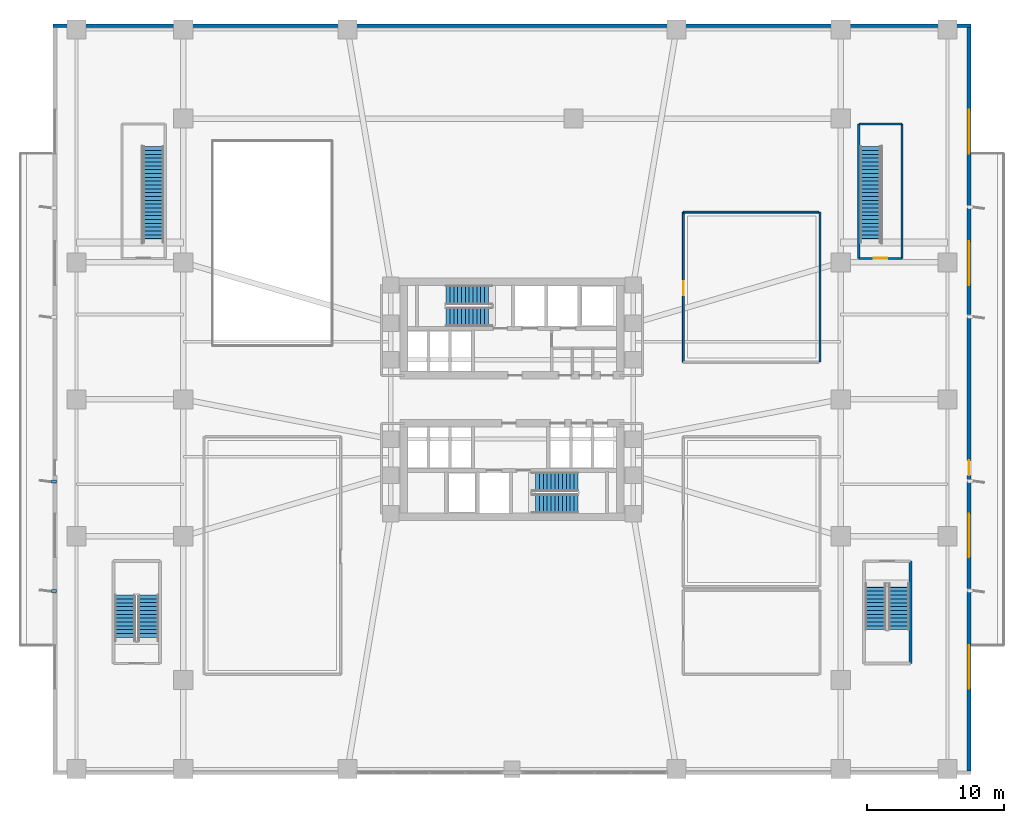
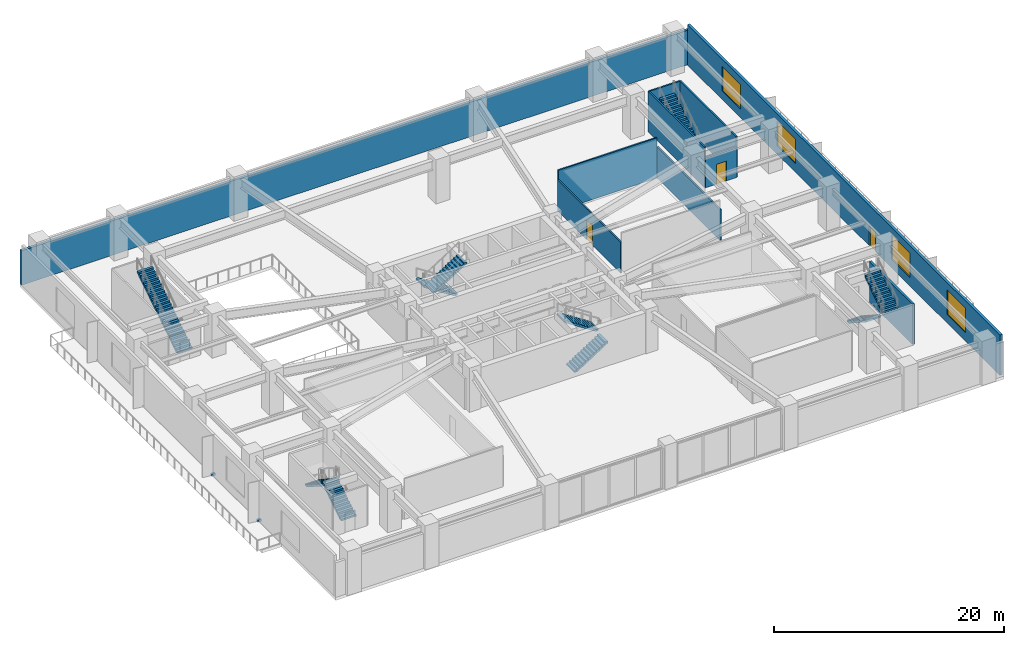
# One storey, part 8 of 13: 10 stair flights, 10 walls, 4 windows, 3 doors, 2 discrete accessories, 7 openings, 6 elements without a shape of their own.
"""IFC4 building model written with IfcOpenShell, lengths in metres."""

from ifc_helpers import new_model, si_unit, direction, frame, frame_2d, origin, origin_2d, place, context, subcontext, project, spatial, polyline, rectangle, outline, extrude, material, layer, layer_set, type_object, element, fill, aggregate, save


model = new_model("IFC4")

# Units and contexts
model_context = context("Model", 3, precision=1e-05, world=origin(), true_north=direction((0.0, 1.0)))
body_context = subcontext(model_context, "Body", "Model", "MODEL_VIEW")
ifc_project = project(units=[si_unit("LENGTHUNIT", "METRE"), si_unit("AREAUNIT", "SQUARE_METRE"), si_unit("VOLUMEUNIT", "CUBIC_METRE"), si_unit("PLANEANGLEUNIT", "RADIAN"), si_unit("MASSUNIT", "GRAM", prefix="KILO")], contexts=[model_context])

# Site, building, storey
site_placement = place(None, origin())
site = spatial("IfcSite", under=ifc_project, at=site_placement, CompositionType="ELEMENT")
building_placement = place(site_placement, origin())
building = spatial("IfcBuilding", under=site, at=building_placement, Name="Solmarez Civic Tower", CompositionType="ELEMENT")
storey_placement = place(building_placement, frame((0.0, 0.0, 14.760009765625)))
storey = spatial("IfcBuildingStorey", under=building, at=storey_placement, Name="L03", CompositionType="ELEMENT", Elevation=14.760009765625)

# Wall
ifc_material_1 = material(Name="Precast concrete C40/50", Category="concrete")
ifc_layer_1 = layer(ifc_material_1, 0.260009765625)
ifc_layer_set_1 = layer_set([ifc_layer_1], Name="Precast concrete C40/50")
wall_type_1 = type_object("IfcWallType", Name="WALL-EXT-260", PredefinedType="SOLIDWALL", material=ifc_layer_set_1)
wall_1_placement = place(storey_placement, frame((-33.5, 27.27001953125, 0.0), z_axis=(0.0, 0.0, 1.0), x_axis=(1.0, 0.0, 0.0)))
element("IfcWall", 1, at=wall_1_placement, inside=storey, type_object=wall_type_1, Name="L03 North Exterior Precast Wall", PredefinedType="SOLIDWALL", context=body_context, shape_type="SweptSolid", body=[
    extrude(rectangle(XDim=67.0, YDim=0.260009765625, at=frame_2d((33.5, 0.0))), origin(), (0.0, 0.0, 1.0), 3.659912109375),
])

# Wall, openings, door, windows
wall_2_placement = place(storey_placement, frame((33.3701171875, 27.139892578125, 0.0), z_axis=(0.0, 0.0, 1.0), x_axis=(0.0, -1.0, 0.0)))
wall_2 = element("IfcWall", 2, at=wall_2_placement, inside=storey, type_object=wall_type_1, Name="L03 East Exterior Precast Wall", PredefinedType="SOLIDWALL", context=body_context, shape_type="SweptSolid", body=[
    extrude(rectangle(XDim=54.27978515625, YDim=0.260009765625, at=frame_2d((27.139892578125, 0.0))), origin(), (0.0, 0.0, 1.0), 4.280029296875),
])
opening_1_placement = place(wall_2_placement, frame((31.590087890625, 0.0, 0.0)))
opening_1 = element("IfcOpeningElement", 3, at=opening_1_placement, cuts=wall_2, Name="Opening D-06", PredefinedType="OPENING", context=body_context, shape_type="SweptSolid", body=[
    extrude(rectangle(XDim=1.10009765625, YDim=2.10009765625, at=frame_2d((0.550048828125, 1.050048828125))), frame((0.0, 0.139892578125, 0.0), z_axis=(0.0, -1.0, 0.0), x_axis=(1.0, 0.0, 0.0)), (0.0, 0.0, 1.0), 0.280029296875),
])
opening_2_placement = place(wall_2_placement, frame((6.0, 0.0, 0.89990234375)))
opening_2 = element("IfcOpeningElement", 4, at=opening_2_placement, cuts=wall_2, Name="Opening W-16", PredefinedType="OPENING", context=body_context, shape_type="SweptSolid", body=[
    extrude(rectangle(XDim=3.199951171875, YDim=2.60009765625, at=frame_2d((1.60009765625, 1.300048828125))), frame((0.0, 0.139892578125, 0.0), z_axis=(0.0, -1.0, 0.0), x_axis=(1.0, 0.0, 0.0)), (0.0, 0.0, 1.0), 0.280029296875),
])
opening_3_placement = place(wall_2_placement, frame((15.60009765625, 0.0, 0.89990234375)))
opening_3 = element("IfcOpeningElement", 5, at=opening_3_placement, cuts=wall_2, Name="Opening W-16", PredefinedType="OPENING", context=body_context, shape_type="SweptSolid", body=[
    extrude(rectangle(XDim=3.199951171875, YDim=2.60009765625, at=frame_2d((1.60009765625, 1.300048828125))), frame((0.0, 0.139892578125, 0.0), z_axis=(0.0, -1.0, 0.0), x_axis=(1.0, 0.0, 0.0)), (0.0, 0.0, 1.0), 0.280029296875),
])
opening_4_placement = place(wall_2_placement, frame((35.47998046875, 0.0, 0.89990234375)))
opening_4 = element("IfcOpeningElement", 6, at=opening_4_placement, cuts=wall_2, Name="Opening W-16", PredefinedType="OPENING", context=body_context, shape_type="SweptSolid", body=[
    extrude(rectangle(XDim=3.199951171875, YDim=2.60009765625, at=frame_2d((1.60009765625, 1.300048828125))), frame((0.0, 0.139892578125, 0.0), z_axis=(0.0, -1.0, 0.0), x_axis=(1.0, 0.0, 0.0)), (0.0, 0.0, 1.0), 0.280029296875),
])
opening_5_placement = place(wall_2_placement, frame((45.080078125, 0.0, 0.89990234375)))
opening_5 = element("IfcOpeningElement", 7, at=opening_5_placement, cuts=wall_2, Name="Opening W-16", PredefinedType="OPENING", context=body_context, shape_type="SweptSolid", body=[
    extrude(rectangle(XDim=3.199951171875, YDim=2.60009765625, at=frame_2d((1.60009765625, 1.300048828125))), frame((0.0, 0.139892578125, 0.0), z_axis=(0.0, -1.0, 0.0), x_axis=(1.0, 0.0, 0.0)), (0.0, 0.0, 1.0), 0.280029296875),
])
ifc_material_2 = material(Name="Bronze Anodised Aluminium Glazed Terrace Door", Category="aluminium")
door_type_1 = type_object("IfcDoorType", Name="DOOR-TERR-1100", OperationType="NOTDEFINED", PredefinedType="DOOR", material=ifc_material_2)
door_1_placement = place(opening_1_placement, origin())
door_1 = element("IfcDoor", 8, at=door_1_placement, inside=storey, type_object=door_type_1, Name="L03 East Civic Terrace Door", OperationType="SINGLE_SWING_LEFT", OverallHeight=2.10009765625, OverallWidth=1.10009765625, PredefinedType="DOOR", context=body_context, shape_type="SweptSolid", body=[
    extrude(rectangle(XDim=1.10009765625, YDim=2.10009765625, at=frame_2d((0.550048828125, 1.050048828125))), frame((0.0, 0.02490234375, 0.0), z_axis=(0.0, -1.0, 0.0), x_axis=(1.0, 0.0, 0.0)), (0.0, 0.0, 1.0), 0.050048828125),
])
fill(opening_1, door_1)
ifc_material_3 = material(Name="Solar Control Bronze-Tinted Insulating Glass", Category="glass")
window_type = type_object("IfcWindowType", Name="WIN-3200X2600", PartitioningType="SINGLE_PANEL", PredefinedType="WINDOW", material=ifc_material_3)
window_1_placement = place(opening_2_placement, origin())
window_1 = element("IfcWindow", 9, at=window_1_placement, inside=storey, type_object=window_type, Name="L03 Podium Facade Window 1", OverallHeight=2.60009765625, OverallWidth=3.199951171875, PartitioningType="SINGLE_PANEL", PredefinedType="WINDOW", context=body_context, shape_type="SweptSolid", body=[
    extrude(rectangle(XDim=3.199951171875, YDim=2.60009765625, at=frame_2d((1.60009765625, 1.300048828125))), frame((0.0, 0.030029296875, 0.0), z_axis=(0.0, -1.0, 0.0), x_axis=(1.0, 0.0, 0.0)), (0.0, 0.0, 1.0), 0.06005859375),
])
fill(opening_2, window_1)
window_2_placement = place(opening_3_placement, origin())
window_2 = element("IfcWindow", 10, at=window_2_placement, inside=storey, type_object=window_type, Name="L03 Podium Facade Window 2", OverallHeight=2.60009765625, OverallWidth=3.199951171875, PartitioningType="SINGLE_PANEL", PredefinedType="WINDOW", context=body_context, shape_type="SweptSolid", body=[
    extrude(rectangle(XDim=3.199951171875, YDim=2.60009765625, at=frame_2d((1.60009765625, 1.300048828125))), frame((0.0, 0.030029296875, 0.0), z_axis=(0.0, -1.0, 0.0), x_axis=(1.0, 0.0, 0.0)), (0.0, 0.0, 1.0), 0.06005859375),
])
fill(opening_3, window_2)
window_3_placement = place(opening_4_placement, origin())
window_3 = element("IfcWindow", 11, at=window_3_placement, inside=storey, type_object=window_type, Name="L03 Podium Facade Window 3", OverallHeight=2.60009765625, OverallWidth=3.199951171875, PartitioningType="SINGLE_PANEL", PredefinedType="WINDOW", context=body_context, shape_type="SweptSolid", body=[
    extrude(rectangle(XDim=3.199951171875, YDim=2.60009765625, at=frame_2d((1.60009765625, 1.300048828125))), frame((0.0, 0.030029296875, 0.0), z_axis=(0.0, -1.0, 0.0), x_axis=(1.0, 0.0, 0.0)), (0.0, 0.0, 1.0), 0.06005859375),
])
fill(opening_4, window_3)
window_4_placement = place(opening_5_placement, origin())
window_4 = element("IfcWindow", 12, at=window_4_placement, inside=storey, type_object=window_type, Name="L03 Podium Facade Window 4", OverallHeight=2.60009765625, OverallWidth=3.199951171875, PartitioningType="SINGLE_PANEL", PredefinedType="WINDOW", context=body_context, shape_type="SweptSolid", body=[
    extrude(rectangle(XDim=3.199951171875, YDim=2.60009765625, at=frame_2d((1.60009765625, 1.300048828125))), frame((0.0, 0.030029296875, 0.0), z_axis=(0.0, -1.0, 0.0), x_axis=(1.0, 0.0, 0.0)), (0.0, 0.0, 1.0), 0.06005859375),
])
fill(opening_5, window_4)

# Walls
ifc_material_4 = material(Name="Gypsum Board Acoustic Steel-Stud Partition", Category="steel")
ifc_layer_2 = layer(ifc_material_4, 0.14990234375)
ifc_layer_set_2 = layer_set([ifc_layer_2], Name="Gypsum Board Acoustic Steel-Stud Partition")
wall_type_2 = type_object("IfcWallType", Name="WALL-INT-FIRE-150", PredefinedType="PARTITIONING", material=ifc_layer_set_2)
for number, where, z_axis, x_axis, name in (
    (13, (25.320068359375, 10.300048828125, 0.0), (0.0, 0.0, 1.0), (0.0, 1.0, 0.0), "L03 Podium Stair P4 Shaft Wall"),
    (14, (28.47998046875, 10.300048828125, 0.0), (0.0, 0.0, 1.0), (0.0, 1.0, 0.0), "L03 Podium Stair P4 Shaft Wall"),
):
    element("IfcWall", number, at=place(storey_placement, frame(where, z_axis=z_axis, x_axis=x_axis)), inside=storey, type_object=wall_type_2, Name=name, PredefinedType="PARTITIONING", context=body_context, shape_type="SweptSolid", body=[
        extrude(rectangle(XDim=9.800048828125, YDim=0.14990234375, at=frame_2d((4.89990234375, 0.0))), origin(), (0.0, 0.0, 1.0), 4.280029296875),
    ])

# Wall, opening, door
wall_3_placement = place(storey_placement, frame((25.320068359375, 10.300048828125, 0.0), z_axis=(0.0, 0.0, 1.0), x_axis=(1.0, 0.0, 0.0)))
wall_3 = element("IfcWall", 15, at=wall_3_placement, inside=storey, type_object=wall_type_2, Name="L03 Podium Stair P4 Shaft Wall", PredefinedType="PARTITIONING", context=body_context, shape_type="SweptSolid", body=[
    extrude(rectangle(XDim=3.159912109375, YDim=0.14990234375, at=frame_2d((1.580078125, 0.0))), origin(), (0.0, 0.0, 1.0), 3.2900390625),
])
opening_6_placement = place(wall_3_placement, frame((1.080078125, 0.0, 0.0)))
opening_6 = element("IfcOpeningElement", 16, at=opening_6_placement, cuts=wall_3, Name="Opening D-05", PredefinedType="OPENING", context=body_context, shape_type="SweptSolid", body=[
    extrude(rectangle(XDim=1.0, YDim=2.10009765625, at=frame_2d((0.5, 1.050048828125))), frame((0.0, 0.0849609375, 0.0), z_axis=(0.0, -1.0, 0.0), x_axis=(1.0, 0.0, 0.0)), (0.0, 0.0, 1.0), 0.169921875),
])
ifc_material_5 = material(Name="Fire-Rated Stairwell Exit Door", Category="wood")
door_type_2 = type_object("IfcDoorType", Name="DOOR-FD90-1000", OperationType="NOTDEFINED", PredefinedType="DOOR", material=ifc_material_5)
door_2_placement = place(opening_6_placement, origin())
door_2 = element("IfcDoor", 17, at=door_2_placement, inside=storey, type_object=door_type_2, Name="L03 Podium Stair P4 Entry Door", OperationType="SINGLE_SWING_LEFT", OverallHeight=2.10009765625, OverallWidth=1.0, PredefinedType="DOOR", context=body_context, shape_type="SweptSolid", body=[
    extrude(rectangle(XDim=1.0, YDim=2.10009765625, at=frame_2d((0.5, 1.050048828125))), frame((0.0, 0.02490234375, 0.0), z_axis=(0.0, -1.0, 0.0), x_axis=(1.0, 0.0, 0.0)), (0.0, 0.0, 1.0), 0.050048828125),
])
fill(opening_6, door_2)

# Walls
wall_4_placement = place(storey_placement, frame((28.47998046875, 20.10009765625, 0.0), z_axis=(0.0, 0.0, 1.0), x_axis=(-1.0, 0.0, 0.0)))
element("IfcWall", 18, at=wall_4_placement, inside=storey, type_object=wall_type_2, Name="L03 Podium Stair P4 Shaft Wall", PredefinedType="PARTITIONING", context=body_context, shape_type="SweptSolid", body=[
    extrude(rectangle(XDim=3.159912109375, YDim=0.14990234375, at=frame_2d((1.580078125, 0.0))), origin(), (0.0, 0.0, 1.0), 4.280029296875),
])
wall_5_placement = place(storey_placement, frame((22.47998046875, 2.719970703125, 0.0), z_axis=(0.0, 0.0, 1.0), x_axis=(0.0, 1.0, 0.0)))
element("IfcWall", 19, at=wall_5_placement, inside=storey, type_object=wall_type_2, Name="L03 Interior Partition PT-L0X-L03-NE1-B", PredefinedType="PARTITIONING", context=body_context, shape_type="SweptSolid", body=[
    extrude(rectangle(XDim=10.9599609375, YDim=0.14990234375, at=frame_2d((5.47998046875, 0.0))), origin(), (0.0, 0.0, 1.0), 3.2900390625),
])

# Wall, opening, door
ifc_layer_3 = layer(ifc_material_4, 0.14501953125)
ifc_layer_set_3 = layer_set([ifc_layer_3], Name="Gypsum Board Acoustic Steel-Stud Partition")
wall_type_3 = type_object("IfcWallType", Name="WALL-INT-PART-150", PredefinedType="PARTITIONING", material=ifc_layer_set_3)
wall_6_placement = place(storey_placement, frame((12.52001953125, 2.719970703125, 0.0), z_axis=(0.0, 0.0, 1.0), x_axis=(0.0, 1.0, 0.0)))
wall_6 = element("IfcWall", 20, at=wall_6_placement, inside=storey, type_object=wall_type_3, Name="L03 Interior Partition PT-L0X-L03-NE1-F", PredefinedType="PARTITIONING", context=body_context, shape_type="SweptSolid", body=[
    extrude(rectangle(XDim=10.9599609375, YDim=0.14501953125, at=frame_2d((5.47998046875, 0.0))), origin(), (0.0, 0.0, 1.0), 3.2900390625),
])
opening_7_placement = place(wall_6_placement, frame((4.89990234375, 0.0, 0.0)))
opening_7 = element("IfcOpeningElement", 21, at=opening_7_placement, cuts=wall_6, Name="Opening D-04", PredefinedType="OPENING", context=body_context, shape_type="SweptSolid", body=[
    extrude(rectangle(XDim=1.0, YDim=2.10009765625, at=frame_2d((0.5, 1.050048828125))), frame((0.0, 0.08251953125, 0.0), z_axis=(0.0, -1.0, 0.0), x_axis=(1.0, 0.0, 0.0)), (0.0, 0.0, 1.0), 0.1650390625),
])
ifc_material_6 = material(Name="Steel-Faced Acoustic Fire Door", Category="steel")
door_type_3 = type_object("IfcDoorType", Name="DOOR-FD60-1000", OperationType="NOTDEFINED", PredefinedType="DOOR", material=ifc_material_6)
door_3_placement = place(opening_7_placement, origin())
door_3 = element("IfcDoor", 22, at=door_3_placement, inside=storey, type_object=door_type_3, Name="L03 Public Mediation Conference Room Door", OperationType="SINGLE_SWING_LEFT", OverallHeight=2.10009765625, OverallWidth=1.0, PredefinedType="DOOR", context=body_context, shape_type="SweptSolid", body=[
    extrude(rectangle(XDim=1.0, YDim=2.10009765625, at=frame_2d((0.5, 1.050048828125))), frame((0.0, 0.02490234375, 0.0), z_axis=(0.0, -1.0, 0.0), x_axis=(1.0, 0.0, 0.0)), (0.0, 0.0, 1.0), 0.050048828125),
])
fill(opening_7, door_3)

# Walls
wall_7_placement = place(storey_placement, frame((12.52001953125, 13.679931640625, 0.0), z_axis=(0.0, 0.0, 1.0), x_axis=(1.0, 0.0, 0.0)))
element("IfcWall", 23, at=wall_7_placement, inside=storey, type_object=wall_type_3, Name="L03 Interior Partition PT-L0X-L03-NE1-N", PredefinedType="PARTITIONING", context=body_context, shape_type="SweptSolid", body=[
    extrude(rectangle(XDim=9.8798828125, YDim=0.14501953125, at=frame_2d((4.93994140625, 0.0))), origin(), (0.0, 0.0, 1.0), 4.280029296875),
])
ifc_material_7 = material(Name="Concrete C50/60", Category="concrete")
ifc_layer_4 = layer(ifc_material_7, 0.300048828125)
ifc_layer_set_4 = layer_set([ifc_layer_4], Name="Concrete C50/60")
wall_type_4 = type_object("IfcWallType", Name="WALL-STR-300", PredefinedType="SOLIDWALL", material=ifc_layer_set_4)
wall_8_placement = place(storey_placement, frame((29.10009765625, -19.300048828125, 0.0), z_axis=(0.0, 0.0, 1.0), x_axis=(0.0, 1.0, 0.0)))
element("IfcWall", 24, at=wall_8_placement, inside=storey, type_object=wall_type_4, Name="L03 Podium Stair Structural Wall STP2-E", PredefinedType="SOLIDWALL", context=body_context, shape_type="SweptSolid", body=[
    extrude(rectangle(XDim=7.5, YDim=0.219970703125, at=frame_2d((3.75, 0.0))), origin(), (0.0, 0.0, 1.0), 4.280029296875),
])

# Stair, stair flights
stair_type_1 = type_object("IfcStairType", Name="STAIR-DOGLEG-140W-26R-1800", PredefinedType="HALF_TURN_STAIR", material=ifc_material_7)
stair_1_placement = place(storey_placement, origin())
stair_1 = element("IfcStair", 25, at=stair_1_placement, inside=storey, type_object=stair_type_1, Name="L03 North Core Protected Exit Stair ST-1", PredefinedType="HALF_TURN_STAIR")
stair_flight_type_1 = type_object("IfcStairFlightType", Name="FLIGHT-DOGLEG-140W-13R-1800", PredefinedType="STRAIGHT", material=ifc_material_7)
stair_flight_1_placement = place(storey_placement, frame((-1.449951171875, 7.6201171875, 0.0), z_axis=(0.0, 0.0, 1.0), x_axis=(-1.0, 0.0, 0.0)))
stair_flight_1 = element("IfcStairFlight", 26, at=stair_flight_1_placement, type_object=stair_flight_type_1, Name="ST-1 flight 1", NumberOfRisers=13, NumberOfTreads=12, PredefinedType="STRAIGHT", RiserHeight=0.18, TreadLength=0.28, context=body_context, shape_type="SweptSolid", body=[
    extrude(outline(polyline([(0.0, 0.0), (0.0, 0.179931640625), (0.280029296875, 0.179931640625), (0.280029296875, 0.360107421875), (0.56005859375, 0.360107421875), (0.56005859375, 0.5400390625), (0.840087890625, 0.5400390625), (0.840087890625, 0.719970703125), (1.1201171875, 0.719970703125), (1.1201171875, 0.89990234375), (1.39990234375, 0.89990234375), (1.39990234375, 1.080078125), (1.679931640625, 1.080078125), (1.679931640625, 1.260009765625), (1.9599609375, 1.260009765625), (1.9599609375, 1.43994140625), (2.239990234375, 1.43994140625), (2.239990234375, 1.6201171875), (2.52001953125, 1.6201171875), (2.52001953125, 1.800048828125), (2.800048828125, 1.800048828125), (2.800048828125, 1.97998046875), (3.080078125, 1.97998046875), (3.080078125, 2.159912109375), (3.360107421875, 2.159912109375), (3.360107421875, 2.340087890625), (3.360107421875, 1.969970703125), (0.295654296875, 0.0), (0.0, 0.0)])), frame((0.0, 0.699951171875, 0.0), z_axis=(0.0, -1.0, 0.0), x_axis=(1.0, 0.0, 0.0)), (0.0, 0.0, 1.0), 1.39990234375),
])
stair_flight_2_placement = place(storey_placement, frame((-4.81005859375, 6.02001953125, 2.340087890625), z_axis=(0.0, 0.0, 1.0), x_axis=(1.0, 0.0, 0.0)))
stair_flight_2 = element("IfcStairFlight", 27, at=stair_flight_2_placement, type_object=stair_flight_type_1, Name="ST-1 flight 2", NumberOfRisers=13, NumberOfTreads=12, PredefinedType="STRAIGHT", RiserHeight=0.18, TreadLength=0.28, context=body_context, shape_type="SweptSolid", body=[
    extrude(outline(polyline([(0.0, 0.0), (0.0, 0.179931640625), (0.280029296875, 0.179931640625), (0.280029296875, 0.360107421875), (0.56005859375, 0.360107421875), (0.56005859375, 0.5400390625), (0.840087890625, 0.5400390625), (0.840087890625, 0.719970703125), (1.1201171875, 0.719970703125), (1.1201171875, 0.89990234375), (1.39990234375, 0.89990234375), (1.39990234375, 1.080078125), (1.679931640625, 1.080078125), (1.679931640625, 1.260009765625), (1.9599609375, 1.260009765625), (1.9599609375, 1.43994140625), (2.239990234375, 1.43994140625), (2.239990234375, 1.6201171875), (2.52001953125, 1.6201171875), (2.52001953125, 1.800048828125), (2.800048828125, 1.800048828125), (2.800048828125, 1.97998046875), (3.080078125, 1.97998046875), (3.080078125, 2.159912109375), (3.360107421875, 2.159912109375), (3.360107421875, 2.340087890625), (3.360107421875, 1.969970703125), (0.295654296875, 0.0), (0.0, 0.0)])), frame((0.0, 0.699951171875, 0.0), z_axis=(0.0, -1.0, 0.0), x_axis=(1.0, 0.0, 0.0)), (0.0, 0.0, 1.0), 1.39990234375),
])
aggregate(stair_1, [stair_flight_1, stair_flight_2])

stair_2_placement = place(storey_placement, origin())
stair_2 = element("IfcStair", 28, at=stair_2_placement, inside=storey, type_object=stair_type_1, Name="L03 South Core Protected Exit Stair ST-2", PredefinedType="HALF_TURN_STAIR")
stair_flight_3_placement = place(storey_placement, frame((1.449951171875, -7.6201171875, 0.0), z_axis=(0.0, 0.0, 1.0), x_axis=(1.0, 0.0, 0.0)))
stair_flight_3 = element("IfcStairFlight", 29, at=stair_flight_3_placement, type_object=stair_flight_type_1, Name="ST-2 flight 1", NumberOfRisers=13, NumberOfTreads=12, PredefinedType="STRAIGHT", RiserHeight=0.18, TreadLength=0.28, context=body_context, shape_type="SweptSolid", body=[
    extrude(outline(polyline([(0.0, 0.0), (0.0, 0.179931640625), (0.280029296875, 0.179931640625), (0.280029296875, 0.360107421875), (0.56005859375, 0.360107421875), (0.56005859375, 0.5400390625), (0.840087890625, 0.5400390625), (0.840087890625, 0.719970703125), (1.1201171875, 0.719970703125), (1.1201171875, 0.89990234375), (1.39990234375, 0.89990234375), (1.39990234375, 1.080078125), (1.679931640625, 1.080078125), (1.679931640625, 1.260009765625), (1.9599609375, 1.260009765625), (1.9599609375, 1.43994140625), (2.239990234375, 1.43994140625), (2.239990234375, 1.6201171875), (2.52001953125, 1.6201171875), (2.52001953125, 1.800048828125), (2.800048828125, 1.800048828125), (2.800048828125, 1.97998046875), (3.080078125, 1.97998046875), (3.080078125, 2.159912109375), (3.360107421875, 2.159912109375), (3.360107421875, 2.340087890625), (3.360107421875, 1.969970703125), (0.295654296875, 0.0), (0.0, 0.0)])), frame((0.0, 0.699951171875, 0.0), z_axis=(0.0, -1.0, 0.0), x_axis=(1.0, 0.0, 0.0)), (0.0, 0.0, 1.0), 1.39990234375),
])
stair_flight_4_placement = place(storey_placement, frame((4.81005859375, -6.02001953125, 2.340087890625), z_axis=(0.0, 0.0, 1.0), x_axis=(-1.0, 0.0, 0.0)))
stair_flight_4 = element("IfcStairFlight", 30, at=stair_flight_4_placement, type_object=stair_flight_type_1, Name="ST-2 flight 2", NumberOfRisers=13, NumberOfTreads=12, PredefinedType="STRAIGHT", RiserHeight=0.18, TreadLength=0.28, context=body_context, shape_type="SweptSolid", body=[
    extrude(outline(polyline([(0.0, 0.0), (0.0, 0.179931640625), (0.280029296875, 0.179931640625), (0.280029296875, 0.360107421875), (0.56005859375, 0.360107421875), (0.56005859375, 0.5400390625), (0.840087890625, 0.5400390625), (0.840087890625, 0.719970703125), (1.1201171875, 0.719970703125), (1.1201171875, 0.89990234375), (1.39990234375, 0.89990234375), (1.39990234375, 1.080078125), (1.679931640625, 1.080078125), (1.679931640625, 1.260009765625), (1.9599609375, 1.260009765625), (1.9599609375, 1.43994140625), (2.239990234375, 1.43994140625), (2.239990234375, 1.6201171875), (2.52001953125, 1.6201171875), (2.52001953125, 1.800048828125), (2.800048828125, 1.800048828125), (2.800048828125, 1.97998046875), (3.080078125, 1.97998046875), (3.080078125, 2.159912109375), (3.360107421875, 2.159912109375), (3.360107421875, 2.340087890625), (3.360107421875, 1.969970703125), (0.295654296875, 0.0), (0.0, 0.0)])), frame((0.0, 0.699951171875, 0.0), z_axis=(0.0, -1.0, 0.0), x_axis=(1.0, 0.0, 0.0)), (0.0, 0.0, 1.0), 1.39990234375),
])
aggregate(stair_2, [stair_flight_3, stair_flight_4])

stair_type_2 = type_object("IfcStairType", Name="STAIR-DOGLEG-150W-26R-1800", PredefinedType="HALF_TURN_STAIR", material=ifc_material_7)
stair_3_placement = place(storey_placement, origin())
stair_3 = element("IfcStair", 31, at=stair_3_placement, inside=storey, type_object=stair_type_2, Name="L03 West Podium Exit Stair ST-P1", PredefinedType="HALF_TURN_STAIR")
stair_flight_type_2 = type_object("IfcStairFlightType", Name="FLIGHT-DOGLEG-150W-13R-1800", PredefinedType="STRAIGHT", material=ifc_material_7)
stair_flight_5_placement = place(storey_placement, frame((-26.550048828125, -17.64990234375, 0.0), z_axis=(0.0, 0.0, 1.0), x_axis=(0.0, 1.0, 0.0)))
stair_flight_5 = element("IfcStairFlight", 32, at=stair_flight_5_placement, type_object=stair_flight_type_2, Name="ST-P1 flight 1", NumberOfRisers=13, NumberOfTreads=12, PredefinedType="STRAIGHT", RiserHeight=0.18, TreadLength=0.28, context=body_context, shape_type="SweptSolid", body=[
    extrude(outline(polyline([(0.0, 0.0), (0.0, 0.179931640625), (0.280029296875, 0.179931640625), (0.280029296875, 0.360107421875), (0.56005859375, 0.360107421875), (0.56005859375, 0.5400390625), (0.840087890625, 0.5400390625), (0.840087890625, 0.719970703125), (1.1201171875, 0.719970703125), (1.1201171875, 0.89990234375), (1.39990234375, 0.89990234375), (1.39990234375, 1.080078125), (1.679931640625, 1.080078125), (1.679931640625, 1.260009765625), (1.9599609375, 1.260009765625), (1.9599609375, 1.43994140625), (2.239990234375, 1.43994140625), (2.239990234375, 1.6201171875), (2.52001953125, 1.6201171875), (2.52001953125, 1.800048828125), (2.800048828125, 1.800048828125), (2.800048828125, 1.97998046875), (3.080078125, 1.97998046875), (3.080078125, 2.159912109375), (3.360107421875, 2.159912109375), (3.360107421875, 2.340087890625), (3.360107421875, 1.969970703125), (0.295654296875, 0.0), (0.0, 0.0)])), frame((0.0, 0.75, 0.0), z_axis=(0.0, -1.0, 0.0), x_axis=(1.0, 0.0, 0.0)), (0.0, 0.0, 1.0), 1.5),
])
stair_flight_6_placement = place(storey_placement, frame((-28.25, -14.2900390625, 2.340087890625), z_axis=(0.0, 0.0, 1.0), x_axis=(0.0, -1.0, 0.0)))
stair_flight_6 = element("IfcStairFlight", 33, at=stair_flight_6_placement, type_object=stair_flight_type_2, Name="ST-P1 flight 2", NumberOfRisers=13, NumberOfTreads=12, PredefinedType="STRAIGHT", RiserHeight=0.18, TreadLength=0.28, context=body_context, shape_type="SweptSolid", body=[
    extrude(outline(polyline([(0.0, 0.0), (0.0, 0.179931640625), (0.280029296875, 0.179931640625), (0.280029296875, 0.360107421875), (0.56005859375, 0.360107421875), (0.56005859375, 0.5400390625), (0.840087890625, 0.5400390625), (0.840087890625, 0.719970703125), (1.1201171875, 0.719970703125), (1.1201171875, 0.89990234375), (1.39990234375, 0.89990234375), (1.39990234375, 1.080078125), (1.679931640625, 1.080078125), (1.679931640625, 1.260009765625), (1.9599609375, 1.260009765625), (1.9599609375, 1.43994140625), (2.239990234375, 1.43994140625), (2.239990234375, 1.6201171875), (2.52001953125, 1.6201171875), (2.52001953125, 1.800048828125), (2.800048828125, 1.800048828125), (2.800048828125, 1.97998046875), (3.080078125, 1.97998046875), (3.080078125, 2.159912109375), (3.360107421875, 2.159912109375), (3.360107421875, 2.340087890625), (3.360107421875, 1.969970703125), (0.295654296875, 0.0), (0.0, 0.0)])), frame((0.0, 0.75, 0.0), z_axis=(0.0, -1.0, 0.0), x_axis=(1.0, 0.0, 0.0)), (0.0, 0.0, 1.0), 1.5),
])
aggregate(stair_3, [stair_flight_5, stair_flight_6])

stair_4_placement = place(storey_placement, origin())
stair_4 = element("IfcStair", 34, at=stair_4_placement, inside=storey, type_object=stair_type_2, Name="L03 East Podium Exit Stair ST-P2", PredefinedType="HALF_TURN_STAIR")
stair_flight_7_placement = place(storey_placement, frame((26.550048828125, -13.449951171875, 0.0), z_axis=(0.0, 0.0, 1.0), x_axis=(0.0, -1.0, 0.0)))
stair_flight_7 = element("IfcStairFlight", 35, at=stair_flight_7_placement, type_object=stair_flight_type_2, Name="ST-P2 flight 1", NumberOfRisers=13, NumberOfTreads=12, PredefinedType="STRAIGHT", RiserHeight=0.18, TreadLength=0.28, context=body_context, shape_type="SweptSolid", body=[
    extrude(outline(polyline([(0.0, 0.0), (0.0, 0.179931640625), (0.280029296875, 0.179931640625), (0.280029296875, 0.360107421875), (0.56005859375, 0.360107421875), (0.56005859375, 0.5400390625), (0.840087890625, 0.5400390625), (0.840087890625, 0.719970703125), (1.1201171875, 0.719970703125), (1.1201171875, 0.89990234375), (1.39990234375, 0.89990234375), (1.39990234375, 1.080078125), (1.679931640625, 1.080078125), (1.679931640625, 1.260009765625), (1.9599609375, 1.260009765625), (1.9599609375, 1.43994140625), (2.239990234375, 1.43994140625), (2.239990234375, 1.6201171875), (2.52001953125, 1.6201171875), (2.52001953125, 1.800048828125), (2.800048828125, 1.800048828125), (2.800048828125, 1.97998046875), (3.080078125, 1.97998046875), (3.080078125, 2.159912109375), (3.360107421875, 2.159912109375), (3.360107421875, 2.340087890625), (3.360107421875, 1.969970703125), (0.295654296875, 0.0), (0.0, 0.0)])), frame((0.0, 0.75, 0.0), z_axis=(0.0, -1.0, 0.0), x_axis=(1.0, 0.0, 0.0)), (0.0, 0.0, 1.0), 1.5),
])
stair_flight_8_placement = place(storey_placement, frame((28.25, -16.81005859375, 2.340087890625), z_axis=(0.0, 0.0, 1.0), x_axis=(0.0, 1.0, 0.0)))
stair_flight_8 = element("IfcStairFlight", 36, at=stair_flight_8_placement, type_object=stair_flight_type_2, Name="ST-P2 flight 2", NumberOfRisers=13, NumberOfTreads=12, PredefinedType="STRAIGHT", RiserHeight=0.18, TreadLength=0.28, context=body_context, shape_type="SweptSolid", body=[
    extrude(outline(polyline([(0.0, 0.0), (0.0, 0.179931640625), (0.280029296875, 0.179931640625), (0.280029296875, 0.360107421875), (0.56005859375, 0.360107421875), (0.56005859375, 0.5400390625), (0.840087890625, 0.5400390625), (0.840087890625, 0.719970703125), (1.1201171875, 0.719970703125), (1.1201171875, 0.89990234375), (1.39990234375, 0.89990234375), (1.39990234375, 1.080078125), (1.679931640625, 1.080078125), (1.679931640625, 1.260009765625), (1.9599609375, 1.260009765625), (1.9599609375, 1.43994140625), (2.239990234375, 1.43994140625), (2.239990234375, 1.6201171875), (2.52001953125, 1.6201171875), (2.52001953125, 1.800048828125), (2.800048828125, 1.800048828125), (2.800048828125, 1.97998046875), (3.080078125, 1.97998046875), (3.080078125, 2.159912109375), (3.360107421875, 2.159912109375), (3.360107421875, 2.340087890625), (3.360107421875, 1.969970703125), (0.295654296875, 0.0), (0.0, 0.0)])), frame((0.0, 0.75, 0.0), z_axis=(0.0, -1.0, 0.0), x_axis=(1.0, 0.0, 0.0)), (0.0, 0.0, 1.0), 1.5),
])
aggregate(stair_4, [stair_flight_7, stair_flight_8])

# Stair, stair flight
stair_type_3 = type_object("IfcStairType", Name="STAIR-POD-STR-26R", PredefinedType="STRAIGHT_RUN_STAIR", material=ifc_material_7)
stair_5_placement = place(storey_placement, origin())
stair_5 = element("IfcStair", 37, at=stair_5_placement, inside=storey, type_object=stair_type_3, Name="L03 Podium Straight Stair ST-P3", PredefinedType="STRAIGHT_RUN_STAIR")
stair_flight_type_3 = type_object("IfcStairFlightType", Name="FLIGHT-POD-STR-26R", PredefinedType="STRAIGHT", material=ifc_material_7)
stair_flight_9_placement = place(storey_placement, frame((-26.175048828125, 11.449951171875, 0.0), z_axis=(0.0, 0.0, 1.0), x_axis=(0.0, 1.0, 0.0)))
stair_flight_9 = element("IfcStairFlight", 38, at=stair_flight_9_placement, type_object=stair_flight_type_3, Name="STP-26R flight 1", NumberOfRisers=26, NumberOfTreads=25, PredefinedType="STRAIGHT", RiserHeight=0.18, TreadLength=0.28, context=body_context, shape_type="SweptSolid", body=[
    extrude(outline(polyline([(0.0, 0.0), (0.0, 0.179931640625), (0.280029296875, 0.179931640625), (0.280029296875, 0.360107421875), (0.56005859375, 0.360107421875), (0.56005859375, 0.5400390625), (0.840087890625, 0.5400390625), (0.840087890625, 0.719970703125), (1.1201171875, 0.719970703125), (1.1201171875, 0.89990234375), (1.39990234375, 0.89990234375), (1.39990234375, 1.080078125), (1.679931640625, 1.080078125), (1.679931640625, 1.260009765625), (1.9599609375, 1.260009765625), (1.9599609375, 1.43994140625), (2.239990234375, 1.43994140625), (2.239990234375, 1.6201171875), (2.52001953125, 1.6201171875), (2.52001953125, 1.800048828125), (2.800048828125, 1.800048828125), (2.800048828125, 1.97998046875), (3.080078125, 1.97998046875), (3.080078125, 2.159912109375), (3.360107421875, 2.159912109375), (3.360107421875, 2.340087890625), (3.639892578125, 2.340087890625), (3.639892578125, 2.52001953125), (3.919921875, 2.52001953125), (3.919921875, 2.699951171875), (4.199951171875, 2.699951171875), (4.199951171875, 2.8798828125), (4.47998046875, 2.8798828125), (4.47998046875, 3.06005859375), (4.760009765625, 3.06005859375), (4.760009765625, 3.239990234375), (5.0400390625, 3.239990234375), (5.0400390625, 3.419921875), (5.320068359375, 3.419921875), (5.320068359375, 3.60009765625), (5.60009765625, 3.60009765625), (5.60009765625, 3.780029296875), (5.8798828125, 3.780029296875), (5.8798828125, 3.9599609375), (6.159912109375, 3.9599609375), (6.159912109375, 4.139892578125), (6.43994140625, 4.139892578125), (6.43994140625, 4.320068359375), (6.719970703125, 4.320068359375), (6.719970703125, 4.5), (7.0, 4.5), (7.0, 4.679931640625), (7.0, 4.2861328125), (0.332763671875, 0.0), (0.0, 0.0)])), frame((0.0, 0.75, 0.0), z_axis=(0.0, -1.0, 0.0), x_axis=(1.0, 0.0, 0.0)), (0.0, 0.0, 1.0), 1.5),
])
aggregate(stair_5, [stair_flight_9])

stair_6_placement = place(storey_placement, origin())
stair_6 = element("IfcStair", 39, at=stair_6_placement, inside=storey, type_object=stair_type_3, Name="L03 Podium Straight Stair ST-P4", PredefinedType="STRAIGHT_RUN_STAIR")
stair_flight_10_placement = place(storey_placement, frame((26.175048828125, 11.449951171875, 0.0), z_axis=(0.0, 0.0, 1.0), x_axis=(0.0, 1.0, 0.0)))
stair_flight_10 = element("IfcStairFlight", 40, at=stair_flight_10_placement, type_object=stair_flight_type_3, Name="STP-26R flight 1", NumberOfRisers=26, NumberOfTreads=25, PredefinedType="STRAIGHT", RiserHeight=0.18, TreadLength=0.28, context=body_context, shape_type="SweptSolid", body=[
    extrude(outline(polyline([(0.0, 0.0), (0.0, 0.179931640625), (0.280029296875, 0.179931640625), (0.280029296875, 0.360107421875), (0.56005859375, 0.360107421875), (0.56005859375, 0.5400390625), (0.840087890625, 0.5400390625), (0.840087890625, 0.719970703125), (1.1201171875, 0.719970703125), (1.1201171875, 0.89990234375), (1.39990234375, 0.89990234375), (1.39990234375, 1.080078125), (1.679931640625, 1.080078125), (1.679931640625, 1.260009765625), (1.9599609375, 1.260009765625), (1.9599609375, 1.43994140625), (2.239990234375, 1.43994140625), (2.239990234375, 1.6201171875), (2.52001953125, 1.6201171875), (2.52001953125, 1.800048828125), (2.800048828125, 1.800048828125), (2.800048828125, 1.97998046875), (3.080078125, 1.97998046875), (3.080078125, 2.159912109375), (3.360107421875, 2.159912109375), (3.360107421875, 2.340087890625), (3.639892578125, 2.340087890625), (3.639892578125, 2.52001953125), (3.919921875, 2.52001953125), (3.919921875, 2.699951171875), (4.199951171875, 2.699951171875), (4.199951171875, 2.8798828125), (4.47998046875, 2.8798828125), (4.47998046875, 3.06005859375), (4.760009765625, 3.06005859375), (4.760009765625, 3.239990234375), (5.0400390625, 3.239990234375), (5.0400390625, 3.419921875), (5.320068359375, 3.419921875), (5.320068359375, 3.60009765625), (5.60009765625, 3.60009765625), (5.60009765625, 3.780029296875), (5.8798828125, 3.780029296875), (5.8798828125, 3.9599609375), (6.159912109375, 3.9599609375), (6.159912109375, 4.139892578125), (6.43994140625, 4.139892578125), (6.43994140625, 4.320068359375), (6.719970703125, 4.320068359375), (6.719970703125, 4.5), (7.0, 4.5), (7.0, 4.679931640625), (7.0, 4.2861328125), (0.332763671875, 0.0), (0.0, 0.0)])), frame((0.0, 0.75, 0.0), z_axis=(0.0, -1.0, 0.0), x_axis=(1.0, 0.0, 0.0)), (0.0, 0.0, 1.0), 1.5),
])
aggregate(stair_6, [stair_flight_10])

# Discrete accessories
ifc_material_8 = material(Name="Stainless Steel Grade 1.4401", Category="steel")
discrete_accessory_type = type_object("IfcDiscreteAccessoryType", Name="BRACKET-SS-FIN", PredefinedType="BRACKET", material=ifc_material_8)
for number, where, z_axis, x_axis, name in (
    (41, (-33.449951171875, -14.0, -0.06005859375), (0.0, 0.0, 1.0), (-1.0, 0.0, 0.0), "L03 Stainless Fin Support Bracket FIN-L03-W1"),
    (42, (-33.449951171875, -6.0, -0.06005859375), (0.0, 0.0, 1.0), (-1.0, 0.0, 0.0), "L03 Stainless Fin Support Bracket FIN-L03-W2"),
):
    element("IfcDiscreteAccessory", number, at=place(storey_placement, frame(where, z_axis=z_axis, x_axis=x_axis)), inside=storey, type_object=discrete_accessory_type, Name=name, PredefinedType="BRACKET", context=body_context, shape_type="SweptSolid", body=[
        extrude(rectangle(XDim=0.360107421875, YDim=0.219970703125, at=origin_2d()), origin(), (0.0, 0.0, 1.0), 0.239990234375),
    ])

save(model, "model.ifc")
